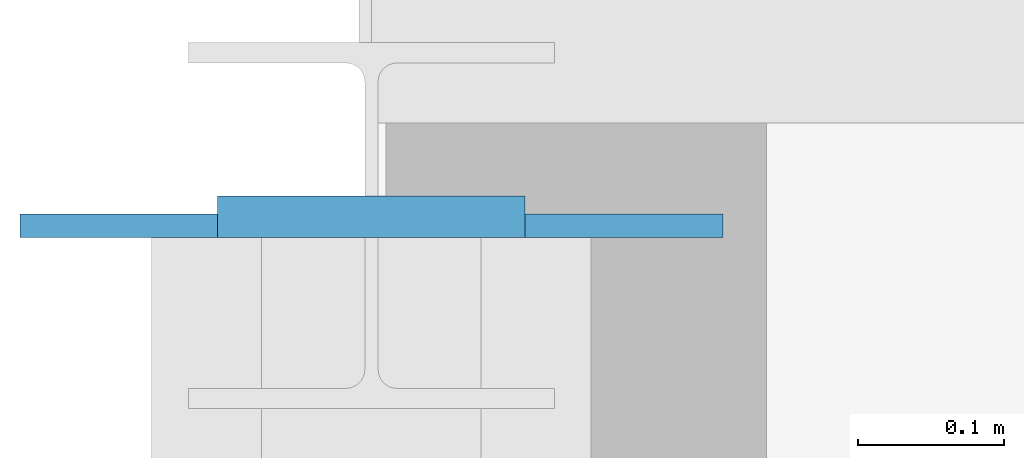
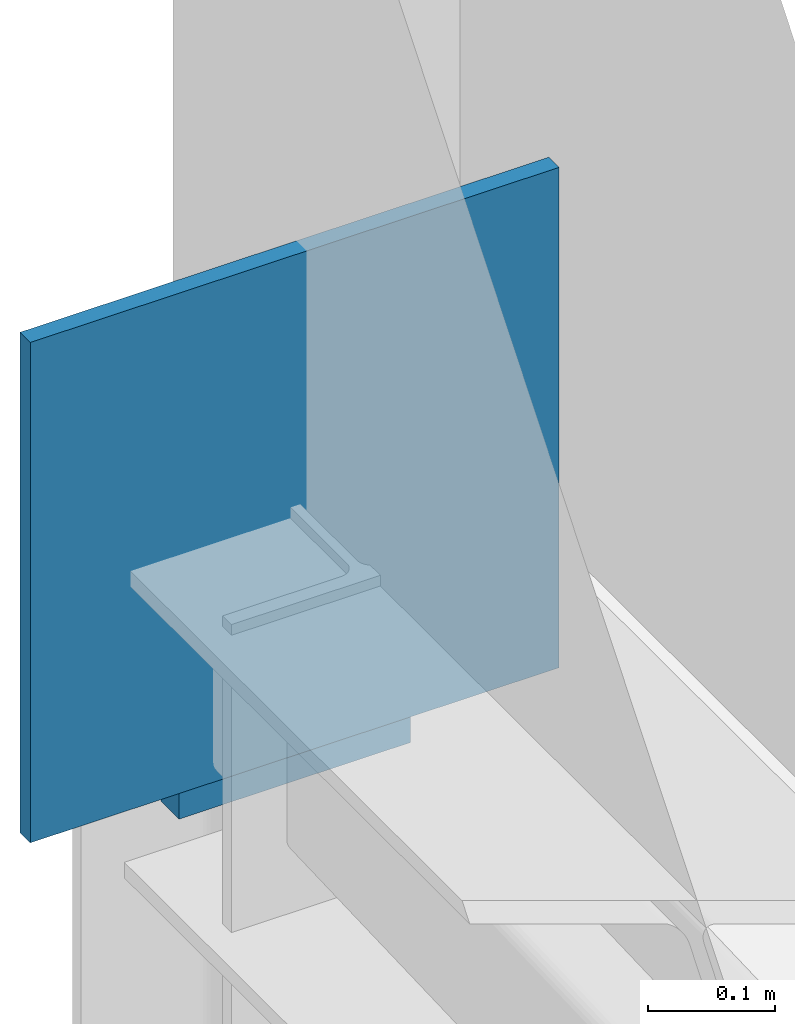
# One storey, part 69 of 77: 2 plates.
"""IFC4 building model written with IfcOpenShell, lengths in metres."""

from ifc_helpers import new_model, si_unit, direction, frame, origin, origin_2d, place, context, subcontext, project, spatial, rectangle, extrude, material, layer, layer_set, type_object, element, save


model = new_model("IFC4")

# Units and contexts
model_context = context("Model", 3, precision=1e-05, world=origin(), true_north=direction((0.0, 1.0)))
body_context = subcontext(model_context, "Body", "Model", "MODEL_VIEW")
ifc_project = project(units=[si_unit("LENGTHUNIT", "METRE"), si_unit("AREAUNIT", "SQUARE_METRE"), si_unit("VOLUMEUNIT", "CUBIC_METRE"), si_unit("PLANEANGLEUNIT", "RADIAN"), si_unit("MASSUNIT", "GRAM", prefix="KILO")], contexts=[model_context])

# Site, building, storey
site_placement = place(None, origin())
site = spatial("IfcSite", under=ifc_project, at=site_placement, CompositionType="ELEMENT")
building_placement = place(site_placement, origin())
building = spatial("IfcBuilding", under=site, at=building_placement, Name="Larkvane Passage Sports Hall", CompositionType="ELEMENT")
storey_placement = place(building_placement, frame((0.0, 0.0, 22.199951171875)))
storey = spatial("IfcBuildingStorey", under=building, at=storey_placement, Name="RF", CompositionType="ELEMENT", Elevation=22.199951171875)

# Plates
ifc_material_1 = material(Name="Steel S355JR", Category="steel")
ifc_layer_1 = layer(ifc_material_1, 0.011962890625)
ifc_layer_set_1 = layer_set([ifc_layer_1], Name="Steel S355JR")
plate_type_1 = type_object("IfcPlateType", Name="PLT-CAP-12", PredefinedType="SHEET", material=ifc_layer_set_1)
plate_1_placement = place(storey_placement, frame((0.0, 99.006103515625, -0.084716796875), z_axis=(0.0, 0.0, 1.0), x_axis=(-1.0, 0.0, 0.0)))
element("IfcPlate", 1, at=plate_1_placement, inside=storey, type_object=plate_type_1, Name="Hollow section sealed end cap plate 0545", PredefinedType="SHEET", context=body_context, shape_type="SweptSolid", body=[
    extrude(rectangle(XDim=0.2099609375, YDim=0.028076171875, at=origin_2d()), origin(), (0.0, 0.0, 1.0), 0.2099609375),
])
ifc_material_2 = material(Name="Steel S460N", Category="steel")
ifc_layer_2 = layer(ifc_material_2, 0.01611328125)
ifc_layer_set_2 = layer_set([ifc_layer_2], Name="Steel S460N")
plate_type_2 = type_object("IfcPlateType", Name="PLT-GUS-16", PredefinedType="USERDEFINED", material=ifc_layer_set_2)
plate_2_placement = place(storey_placement, frame((0.0, 99.0, -0.06005859375), z_axis=(0.0, 0.0, 1.0), x_axis=(1.0, 0.0, 0.0)))
element("IfcPlate", 2, at=plate_2_placement, inside=storey, type_object=plate_type_2, Name="Brace connection gusset plate 0531", ObjectType="GUSSET PLATE", PredefinedType="USERDEFINED", context=body_context, shape_type="SweptSolid", body=[
    extrude(rectangle(XDim=0.47998046875, YDim=0.01611328125, at=origin_2d()), origin(), (0.0, 0.0, 1.0), 0.47998046875),
])

save(model, "model.ifc")
